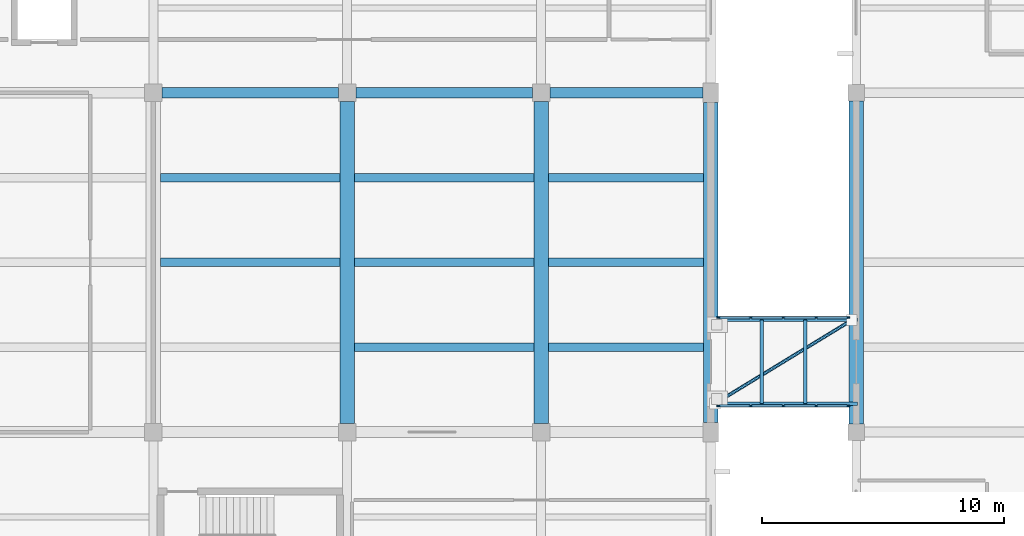
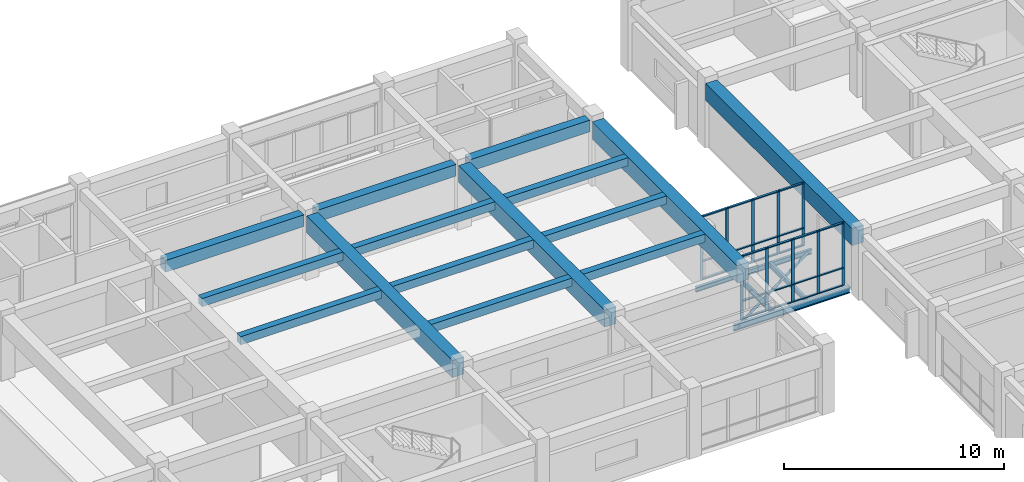
# One storey, part 27 of 66: 35 members, 19 beams, 2 elements without a shape of their own.
"""IFC4 building model written with IfcOpenShell, lengths in metres."""

from ifc_helpers import new_model, si_unit, direction, frame, origin, origin_2d, place, context, subcontext, project, spatial, rectangle, hollow_circle, i_section, extrude, material, layer, layer_set, material_profile, profile_set, type_object, element, aggregate, save


model = new_model("IFC4")

# Units and contexts
model_context = context("Model", 3, precision=1e-05, world=origin(), true_north=direction((0.0, 1.0)))
body_context = subcontext(model_context, "Body", "Model", "MODEL_VIEW")
ifc_project = project(units=[si_unit("LENGTHUNIT", "METRE"), si_unit("AREAUNIT", "SQUARE_METRE"), si_unit("VOLUMEUNIT", "CUBIC_METRE"), si_unit("PLANEANGLEUNIT", "RADIAN"), si_unit("MASSUNIT", "GRAM", prefix="KILO")], contexts=[model_context])

# Site, building, storey
site_placement = place(None, origin())
site = spatial("IfcSite", under=ifc_project, at=site_placement, CompositionType="ELEMENT")
building_placement = place(site_placement, origin())
building = spatial("IfcBuilding", under=site, at=building_placement, Name="Naurynzar Civic Courthouse", CompositionType="ELEMENT")
storey_placement = place(building_placement, frame((0.0, 0.0, 14.39990234375)))
storey = spatial("IfcBuildingStorey", under=building, at=storey_placement, Name="L04", CompositionType="ELEMENT", Elevation=14.39990234375)

# Beams
ifc_material_1 = material(Name="Concrete C40/50", Category="concrete")
ifc_material_profile_1 = material_profile(ifc_material_1, rectangle(XDim=0.60009765625, YDim=0.949951171875, at=origin_2d()), Name="PTB 600x950")
ifc_profile_set_1 = profile_set([ifc_material_profile_1], Name="Concrete C40/50")
beam_type_1 = type_object("IfcBeamType", Name="BM-PT-600x950", PredefinedType="T_BEAM", material=ifc_profile_set_1)
for number, where, z_axis, x_axis, name in (
    (1, (109.0, 51.362548828125, 3.10498046875), (0.0, 1.0, 0.0), (-1.0, 0.0, 0.0), "V2 girder Y-705 L04"),
    (2, (117.0, 51.362548828125, 3.10498046875), (0.0, 1.0, 0.0), (-1.0, 0.0, 0.0), "V2 girder Y-708 L04"),
):
    element("IfcBeam", number, at=place(storey_placement, frame(where, z_axis=z_axis, x_axis=x_axis)), inside=storey, type_object=beam_type_1, Name=name, PredefinedType="T_BEAM", context=body_context, shape_type="SweptSolid", body=[
        extrude(rectangle(XDim=0.60009765625, YDim=0.949951171875, at=origin_2d()), origin(), (0.0, 0.0, 1.0), 13.27490234375),
    ])
beam_1_placement = place(storey_placement, frame((124.0, 51.39990234375, 3.10498046875), z_axis=(0.0, 1.0, 0.0), x_axis=(-1.0, 0.0, 0.0)))
element("IfcBeam", 3, at=beam_1_placement, inside=storey, type_object=beam_type_1, Name="V2 girder Y-711 L04", PredefinedType="T_BEAM", context=body_context, shape_type="SweptSolid", body=[
    extrude(rectangle(XDim=0.60009765625, YDim=0.949951171875, at=origin_2d()), origin(), (0.0, 0.0, 1.0), 13.2001953125),
])
beam_2_placement = place(storey_placement, frame((130.0, 51.33740234375, 3.10498046875), z_axis=(0.0, 1.0, 0.0), x_axis=(-1.0, 0.0, 0.0)))
element("IfcBeam", 4, at=beam_2_placement, inside=storey, type_object=beam_type_1, Name="V5 girder Y-2556 L04", PredefinedType="T_BEAM", context=body_context, shape_type="SweptSolid", body=[
    extrude(rectangle(XDim=0.60009765625, YDim=0.949951171875, at=origin_2d()), origin(), (0.0, 0.0, 1.0), 13.3251953125),
])
ifc_material_2 = material(Name="Concrete C40/50", Category="concrete")
ifc_material_profile_2 = material_profile(ifc_material_2, rectangle(XDim=0.35009765625, YDim=0.449951171875, at=origin_2d()), Name="RCB 350x450")
ifc_profile_set_2 = profile_set([ifc_material_profile_2], Name="Concrete C40/50")
beam_type_2 = type_object("IfcBeamType", Name="BM-RC-350x450", PredefinedType="BEAM", material=ifc_profile_set_2)
for number, where, z_axis, x_axis, name in (
    (5, (101.300048828125, 58.0, 3.35498046875), (1.0, 0.0, 0.0), (0.0, 1.0, 0.0), "V2 secondary rib 727 L04"),
    (6, (101.300048828125, 61.5, 3.35498046875), (1.0, 0.0, 0.0), (0.0, 1.0, 0.0), "V2 secondary rib 728 L04"),
    (7, (109.300048828125, 54.5, 3.35498046875), (1.0, 0.0, 0.0), (0.0, 1.0, 0.0), "V2 secondary rib 729 L04"),
    (8, (109.300048828125, 58.0, 3.35498046875), (1.0, 0.0, 0.0), (0.0, 1.0, 0.0), "V2 secondary rib 730 L04"),
    (9, (109.300048828125, 61.5, 3.35498046875), (1.0, 0.0, 0.0), (0.0, 1.0, 0.0), "V2 secondary rib 731 L04"),
):
    element("IfcBeam", number, at=place(storey_placement, frame(where, z_axis=z_axis, x_axis=x_axis)), inside=storey, type_object=beam_type_2, Name=name, PredefinedType="BEAM", context=body_context, shape_type="SweptSolid", body=[
        extrude(rectangle(XDim=0.35009765625, YDim=0.449951171875, at=origin_2d()), origin(), (0.0, 0.0, 1.0), 7.39990234375),
    ])
for number, where, z_axis, x_axis, name in (
    (10, (117.300048828125, 54.5, 3.35498046875), (1.0, 0.0, 0.0), (0.0, 1.0, 0.0), "V2 secondary rib 732 L04"),
    (11, (117.300048828125, 58.0, 3.35498046875), (1.0, 0.0, 0.0), (0.0, 1.0, 0.0), "V2 secondary rib 733 L04"),
    (12, (117.300048828125, 61.5, 3.35498046875), (1.0, 0.0, 0.0), (0.0, 1.0, 0.0), "V2 secondary rib 734 L04"),
):
    element("IfcBeam", number, at=place(storey_placement, frame(where, z_axis=z_axis, x_axis=x_axis)), inside=storey, type_object=beam_type_2, Name=name, PredefinedType="BEAM", context=body_context, shape_type="SweptSolid", body=[
        extrude(rectangle(XDim=0.35009765625, YDim=0.449951171875, at=origin_2d()), origin(), (0.0, 0.0, 1.0), 6.39990234375),
    ])
ifc_material_3 = material(Name="Concrete C40/50", Category="concrete")
ifc_material_profile_3 = material_profile(ifc_material_3, rectangle(XDim=0.449951171875, YDim=0.64990234375, at=origin_2d()), Name="RCB 450x650")
ifc_profile_set_3 = profile_set([ifc_material_profile_3], Name="Concrete C40/50")
beam_type_3 = type_object("IfcBeamType", Name="BM-RC-450x650", PredefinedType="BEAM", material=ifc_profile_set_3)
for number, where, z_axis, x_axis, name in (
    (13, (101.362548828125, 65.0, 3.255126953125), (1.0, 0.0, 0.0), (0.0, 1.0, 0.0), "V2 beam X-676 L04"),
    (14, (109.362548828125, 65.0, 3.255126953125), (1.0, 0.0, 0.0), (0.0, 1.0, 0.0), "V2 beam X-677 L04"),
):
    element("IfcBeam", number, at=place(storey_placement, frame(where, z_axis=z_axis, x_axis=x_axis)), inside=storey, type_object=beam_type_3, Name=name, PredefinedType="BEAM", context=body_context, shape_type="SweptSolid", body=[
        extrude(rectangle(XDim=0.449951171875, YDim=0.64990234375, at=origin_2d()), origin(), (0.0, 0.0, 1.0), 7.27490234375),
    ])
beam_3_placement = place(storey_placement, frame((117.362548828125, 65.0, 3.255126953125), z_axis=(1.0, 0.0, 0.0), x_axis=(0.0, 1.0, 0.0)))
element("IfcBeam", 15, at=beam_3_placement, inside=storey, type_object=beam_type_3, Name="V2 beam X-678 L04", PredefinedType="BEAM", context=body_context, shape_type="SweptSolid", body=[
    extrude(rectangle(XDim=0.449951171875, YDim=0.64990234375, at=origin_2d()), origin(), (0.0, 0.0, 1.0), 6.3125),
])
ifc_material_4 = material(Name="Steel S355", Category="steel")
ifc_material_profile_4 = material_profile(ifc_material_4, i_section(OverallWidth=0.135009765625, OverallDepth=0.27001953125, WebThickness=0.006591796875, FlangeThickness=0.01025390625, FilletRadius=0.014892578125, at=origin_2d()), Name="IPE 270")
ifc_profile_set_4 = profile_set([ifc_material_profile_4], Name="Steel S355")
beam_type_4 = type_object("IfcBeamType", Name="BM-STL-IPE270", PredefinedType="BEAM", material=ifc_profile_set_4)
beam_4_placement = place(storey_placement, frame((123.949951171875, 55.6298828125, -0.375), z_axis=(1.0, 0.0, 0.0), x_axis=(0.0, 1.0, 0.0)))
element("IfcBeam", 16, at=beam_4_placement, inside=storey, type_object=beam_type_4, Name="BR-E1 edge steel beam L04.2", PredefinedType="BEAM", context=body_context, shape_type="SweptSolid", body=[
    extrude(i_section(OverallWidth=0.135009765625, OverallDepth=0.27001953125, WebThickness=0.006591796875, FlangeThickness=0.01025390625, FilletRadius=0.014892578125, at=origin_2d()), origin(), (0.0, 0.0, 1.0), 6.10009765625),
])
for number, where, z_axis, x_axis, name in (
    (17, (126.10595703125, 52.169921875, -0.375), (0.0, 1.0, 0.0), (-1.0, 0.0, 0.0), "BR-E1 deck cross-beam L04.1"),
    (18, (127.89404296875, 52.169921875, -0.375), (0.0, 1.0, 0.0), (-1.0, 0.0, 0.0), "BR-E1 deck cross-beam L04.2"),
):
    element("IfcBeam", number, at=place(storey_placement, frame(where, z_axis=z_axis, x_axis=x_axis)), inside=storey, type_object=beam_type_4, Name=name, PredefinedType="BEAM", context=body_context, shape_type="SweptSolid", body=[
        extrude(i_section(OverallWidth=0.135009765625, OverallDepth=0.27001953125, WebThickness=0.006591796875, FlangeThickness=0.01025390625, FilletRadius=0.014892578125, at=origin_2d()), origin(), (0.0, 0.0, 1.0), 3.4599609375),
    ])
ifc_material_5 = material(Name="Steel S355", Category="steel")
ifc_material_profile_5 = material_profile(ifc_material_5, i_section(OverallWidth=0.159912109375, OverallDepth=0.330078125, WebThickness=0.007568359375, FlangeThickness=0.011474609375, FilletRadius=0.01806640625, at=origin_2d()), Name="IPE 330")
ifc_profile_set_5 = profile_set([ifc_material_profile_5], Name="Steel S355")
beam_type_5 = type_object("IfcBeamType", Name="BM-STL-IPE330", PredefinedType="BEAM", material=ifc_profile_set_5)
beam_5_placement = place(storey_placement, frame((123.949951171875, 52.169921875, -0.40478515625), z_axis=(1.0, 0.0, 0.0), x_axis=(0.0, 1.0, 0.0)))
element("IfcBeam", 19, at=beam_5_placement, inside=storey, type_object=beam_type_5, Name="BR-E1 edge steel beam L04.1", PredefinedType="BEAM", context=body_context, shape_type="SweptSolid", body=[
    extrude(i_section(OverallWidth=0.159912109375, OverallDepth=0.330078125, WebThickness=0.007568359375, FlangeThickness=0.011474609375, FilletRadius=0.01806640625, at=origin_2d()), origin(), (0.0, 0.0, 1.0), 6.10009765625),
])

# Curtain wall, members
ifc_material_6 = material(Name="Aluminium 6063-T6", Category="aluminium")
ifc_layer = layer(ifc_material_6, 0.14990234375)
ifc_layer_set = layer_set([ifc_layer], Name="CW-BRIDGE-1500")
curtain_wall_type = type_object("IfcCurtainWallType", Name="CW-BRIDGE-1500", PredefinedType="USERDEFINED", material=ifc_layer_set)
curtain_wall_1_placement = place(storey_placement, origin())
curtain_wall_1 = element("IfcCurtainWall", 20, at=curtain_wall_1_placement, inside=storey, type_object=curtain_wall_type, Name="BR-E1 glazed bridge screen L04.1", ObjectType="GLAZED BRIDGE SCREEN", PredefinedType="USERDEFINED")
ifc_material_7 = material(Name="Aluminium 6063-T6", Category="aluminium")
ifc_material_profile_6 = material_profile(ifc_material_7, rectangle(XDim=0.06005859375, YDim=0.14990234375, at=origin_2d()), Name="ALU MULLION 60x150")
ifc_profile_set_6 = profile_set([ifc_material_profile_6], Name="Aluminium 6063-T6")
member_type_1 = type_object("IfcMemberType", Name="CWM-60x150", PredefinedType="MULLION", material=ifc_profile_set_6)
member_1_placement = place(storey_placement, frame((124.330078125, 52.080078125, 0.0), z_axis=(0.0, 0.0, 1.0), x_axis=(0.0, 1.0, 0.0)))
member_1 = element("IfcMember", 21, at=member_1_placement, type_object=member_type_1, Name="CW-03 mullion 1", PredefinedType="MULLION", context=body_context, shape_type="SweptSolid", body=[
    extrude(rectangle(XDim=0.06005859375, YDim=0.14990234375, at=origin_2d()), origin(), (0.0, 0.0, 1.0), 3.52001953125),
])
member_2_placement = place(storey_placement, frame((125.64990234375, 52.080078125, 0.0), z_axis=(0.0, 0.0, 1.0), x_axis=(0.0, 1.0, 0.0)))
member_2 = element("IfcMember", 22, at=member_2_placement, type_object=member_type_1, Name="CW-03 mullion 2", PredefinedType="MULLION", context=body_context, shape_type="SweptSolid", body=[
    extrude(rectangle(XDim=0.06005859375, YDim=0.14990234375, at=origin_2d()), origin(), (0.0, 0.0, 1.0), 3.52001953125),
])
member_3_placement = place(storey_placement, frame((127.0, 52.080078125, 0.0), z_axis=(0.0, 0.0, 1.0), x_axis=(0.0, 1.0, 0.0)))
member_3 = element("IfcMember", 23, at=member_3_placement, type_object=member_type_1, Name="CW-03 mullion 3", PredefinedType="MULLION", context=body_context, shape_type="SweptSolid", body=[
    extrude(rectangle(XDim=0.06005859375, YDim=0.14990234375, at=origin_2d()), origin(), (0.0, 0.0, 1.0), 3.52001953125),
])
member_4_placement = place(storey_placement, frame((128.35009765625, 52.080078125, 0.0), z_axis=(0.0, 0.0, 1.0), x_axis=(0.0, 1.0, 0.0)))
member_4 = element("IfcMember", 24, at=member_4_placement, type_object=member_type_1, Name="CW-03 mullion 4", PredefinedType="MULLION", context=body_context, shape_type="SweptSolid", body=[
    extrude(rectangle(XDim=0.06005859375, YDim=0.14990234375, at=origin_2d()), origin(), (0.0, 0.0, 1.0), 3.52001953125),
])
member_5_placement = place(storey_placement, frame((129.669921875, 52.080078125, 0.0), z_axis=(0.0, 0.0, 1.0), x_axis=(0.0, 1.0, 0.0)))
member_5 = element("IfcMember", 25, at=member_5_placement, type_object=member_type_1, Name="CW-03 mullion 5", PredefinedType="MULLION", context=body_context, shape_type="SweptSolid", body=[
    extrude(rectangle(XDim=0.06005859375, YDim=0.14990234375, at=origin_2d()), origin(), (0.0, 0.0, 1.0), 3.52001953125),
])

curtain_wall_2_placement = place(storey_placement, origin())
curtain_wall_2 = element("IfcCurtainWall", 26, at=curtain_wall_2_placement, inside=storey, type_object=curtain_wall_type, Name="BR-E1 glazed bridge screen L04.2", ObjectType="GLAZED BRIDGE SCREEN", PredefinedType="USERDEFINED")
member_6_placement = place(storey_placement, frame((129.669921875, 55.719970703125, 0.0), z_axis=(0.0, 0.0, 1.0), x_axis=(0.0, -1.0, 0.0)))
member_6 = element("IfcMember", 27, at=member_6_placement, type_object=member_type_1, Name="CW-03 mullion 1", PredefinedType="MULLION", context=body_context, shape_type="SweptSolid", body=[
    extrude(rectangle(XDim=0.06005859375, YDim=0.14990234375, at=origin_2d()), origin(), (0.0, 0.0, 1.0), 3.52001953125),
])
member_7_placement = place(storey_placement, frame((128.35009765625, 55.719970703125, 0.0), z_axis=(0.0, 0.0, 1.0), x_axis=(0.0, -1.0, 0.0)))
member_7 = element("IfcMember", 28, at=member_7_placement, type_object=member_type_1, Name="CW-03 mullion 2", PredefinedType="MULLION", context=body_context, shape_type="SweptSolid", body=[
    extrude(rectangle(XDim=0.06005859375, YDim=0.14990234375, at=origin_2d()), origin(), (0.0, 0.0, 1.0), 3.52001953125),
])
member_8_placement = place(storey_placement, frame((127.0, 55.719970703125, 0.0), z_axis=(0.0, 0.0, 1.0), x_axis=(0.0, -1.0, 0.0)))
member_8 = element("IfcMember", 29, at=member_8_placement, type_object=member_type_1, Name="CW-03 mullion 3", PredefinedType="MULLION", context=body_context, shape_type="SweptSolid", body=[
    extrude(rectangle(XDim=0.06005859375, YDim=0.14990234375, at=origin_2d()), origin(), (0.0, 0.0, 1.0), 3.52001953125),
])
member_9_placement = place(storey_placement, frame((125.64990234375, 55.719970703125, 0.0), z_axis=(0.0, 0.0, 1.0), x_axis=(0.0, -1.0, 0.0)))
member_9 = element("IfcMember", 30, at=member_9_placement, type_object=member_type_1, Name="CW-03 mullion 4", PredefinedType="MULLION", context=body_context, shape_type="SweptSolid", body=[
    extrude(rectangle(XDim=0.06005859375, YDim=0.14990234375, at=origin_2d()), origin(), (0.0, 0.0, 1.0), 3.52001953125),
])
member_10_placement = place(storey_placement, frame((124.330078125, 55.719970703125, 0.0), z_axis=(0.0, 0.0, 1.0), x_axis=(0.0, -1.0, 0.0)))
member_10 = element("IfcMember", 31, at=member_10_placement, type_object=member_type_1, Name="CW-03 mullion 5", PredefinedType="MULLION", context=body_context, shape_type="SweptSolid", body=[
    extrude(rectangle(XDim=0.06005859375, YDim=0.14990234375, at=origin_2d()), origin(), (0.0, 0.0, 1.0), 3.52001953125),
])

# Member
ifc_material_8 = material(Name="Aluminium 6063-T6", Category="aluminium")
ifc_material_profile_7 = material_profile(ifc_material_8, rectangle(XDim=0.110107421875, YDim=0.06005859375, at=origin_2d()), Name="ALU TRANSOM 60x110")
ifc_profile_set_7 = profile_set([ifc_material_profile_7], Name="Aluminium 6063-T6")
member_type_2 = type_object("IfcMemberType", Name="CWT-60x110", PredefinedType="USERDEFINED", material=ifc_profile_set_7)
member_11_placement = place(storey_placement, frame((124.360107421875, 52.080078125, 0.030029296875), z_axis=(1.0, 0.0, 0.0), x_axis=(0.0, 1.0, 0.0)))
member_11 = element("IfcMember", 32, at=member_11_placement, type_object=member_type_2, Name="CW-03 transom 1.1", ObjectType="TRANSOM", PredefinedType="USERDEFINED", context=body_context, shape_type="SweptSolid", body=[
    extrude(rectangle(XDim=0.110107421875, YDim=0.06005859375, at=origin_2d()), origin(), (0.0, 0.0, 1.0), 1.260009765625),
])

member_12_placement = place(storey_placement, frame((124.360107421875, 52.080078125, 1.0), z_axis=(1.0, 0.0, 0.0), x_axis=(0.0, 1.0, 0.0)))
member_12 = element("IfcMember", 33, at=member_12_placement, type_object=member_type_2, Name="CW-03 transom 1.2", ObjectType="TRANSOM", PredefinedType="USERDEFINED", context=body_context, shape_type="SweptSolid", body=[
    extrude(rectangle(XDim=0.110107421875, YDim=0.06005859375, at=origin_2d()), origin(), (0.0, 0.0, 1.0), 1.260009765625),
])

member_13_placement = place(storey_placement, frame((124.360107421875, 52.080078125, 3.489990234375), z_axis=(1.0, 0.0, 0.0), x_axis=(0.0, 1.0, 0.0)))
member_13 = element("IfcMember", 34, at=member_13_placement, type_object=member_type_2, Name="CW-03 transom 1.3", ObjectType="TRANSOM", PredefinedType="USERDEFINED", context=body_context, shape_type="SweptSolid", body=[
    extrude(rectangle(XDim=0.110107421875, YDim=0.06005859375, at=origin_2d()), origin(), (0.0, 0.0, 1.0), 1.260009765625),
])

member_14_placement = place(storey_placement, frame((125.679931640625, 52.080078125, 0.030029296875), z_axis=(1.0, 0.0, 0.0), x_axis=(0.0, 1.0, 0.0)))
member_14 = element("IfcMember", 35, at=member_14_placement, type_object=member_type_2, Name="CW-03 transom 2.1", ObjectType="TRANSOM", PredefinedType="USERDEFINED", context=body_context, shape_type="SweptSolid", body=[
    extrude(rectangle(XDim=0.110107421875, YDim=0.06005859375, at=origin_2d()), origin(), (0.0, 0.0, 1.0), 1.2900390625),
])

member_15_placement = place(storey_placement, frame((125.679931640625, 52.080078125, 1.0), z_axis=(1.0, 0.0, 0.0), x_axis=(0.0, 1.0, 0.0)))
member_15 = element("IfcMember", 36, at=member_15_placement, type_object=member_type_2, Name="CW-03 transom 2.2", ObjectType="TRANSOM", PredefinedType="USERDEFINED", context=body_context, shape_type="SweptSolid", body=[
    extrude(rectangle(XDim=0.110107421875, YDim=0.06005859375, at=origin_2d()), origin(), (0.0, 0.0, 1.0), 1.2900390625),
])

member_16_placement = place(storey_placement, frame((125.679931640625, 52.080078125, 3.489990234375), z_axis=(1.0, 0.0, 0.0), x_axis=(0.0, 1.0, 0.0)))
member_16 = element("IfcMember", 37, at=member_16_placement, type_object=member_type_2, Name="CW-03 transom 2.3", ObjectType="TRANSOM", PredefinedType="USERDEFINED", context=body_context, shape_type="SweptSolid", body=[
    extrude(rectangle(XDim=0.110107421875, YDim=0.06005859375, at=origin_2d()), origin(), (0.0, 0.0, 1.0), 1.2900390625),
])

member_17_placement = place(storey_placement, frame((127.030029296875, 52.080078125, 0.030029296875), z_axis=(1.0, 0.0, 0.0), x_axis=(0.0, 1.0, 0.0)))
member_17 = element("IfcMember", 38, at=member_17_placement, type_object=member_type_2, Name="CW-03 transom 3.1", ObjectType="TRANSOM", PredefinedType="USERDEFINED", context=body_context, shape_type="SweptSolid", body=[
    extrude(rectangle(XDim=0.110107421875, YDim=0.06005859375, at=origin_2d()), origin(), (0.0, 0.0, 1.0), 1.2900390625),
])

member_18_placement = place(storey_placement, frame((127.030029296875, 52.080078125, 1.0), z_axis=(1.0, 0.0, 0.0), x_axis=(0.0, 1.0, 0.0)))
member_18 = element("IfcMember", 39, at=member_18_placement, type_object=member_type_2, Name="CW-03 transom 3.2", ObjectType="TRANSOM", PredefinedType="USERDEFINED", context=body_context, shape_type="SweptSolid", body=[
    extrude(rectangle(XDim=0.110107421875, YDim=0.06005859375, at=origin_2d()), origin(), (0.0, 0.0, 1.0), 1.2900390625),
])

member_19_placement = place(storey_placement, frame((127.030029296875, 52.080078125, 3.489990234375), z_axis=(1.0, 0.0, 0.0), x_axis=(0.0, 1.0, 0.0)))
member_19 = element("IfcMember", 40, at=member_19_placement, type_object=member_type_2, Name="CW-03 transom 3.3", ObjectType="TRANSOM", PredefinedType="USERDEFINED", context=body_context, shape_type="SweptSolid", body=[
    extrude(rectangle(XDim=0.110107421875, YDim=0.06005859375, at=origin_2d()), origin(), (0.0, 0.0, 1.0), 1.2900390625),
])

member_20_placement = place(storey_placement, frame((128.3798828125, 52.080078125, 0.030029296875), z_axis=(1.0, 0.0, 0.0), x_axis=(0.0, 1.0, 0.0)))
member_20 = element("IfcMember", 41, at=member_20_placement, type_object=member_type_2, Name="CW-03 transom 4.1", ObjectType="TRANSOM", PredefinedType="USERDEFINED", context=body_context, shape_type="SweptSolid", body=[
    extrude(rectangle(XDim=0.110107421875, YDim=0.06005859375, at=origin_2d()), origin(), (0.0, 0.0, 1.0), 1.260009765625),
])

member_21_placement = place(storey_placement, frame((128.3798828125, 52.080078125, 1.0), z_axis=(1.0, 0.0, 0.0), x_axis=(0.0, 1.0, 0.0)))
member_21 = element("IfcMember", 42, at=member_21_placement, type_object=member_type_2, Name="CW-03 transom 4.2", ObjectType="TRANSOM", PredefinedType="USERDEFINED", context=body_context, shape_type="SweptSolid", body=[
    extrude(rectangle(XDim=0.110107421875, YDim=0.06005859375, at=origin_2d()), origin(), (0.0, 0.0, 1.0), 1.260009765625),
])

member_22_placement = place(storey_placement, frame((128.3798828125, 52.080078125, 3.489990234375), z_axis=(1.0, 0.0, 0.0), x_axis=(0.0, 1.0, 0.0)))
member_22 = element("IfcMember", 43, at=member_22_placement, type_object=member_type_2, Name="CW-03 transom 4.3", ObjectType="TRANSOM", PredefinedType="USERDEFINED", context=body_context, shape_type="SweptSolid", body=[
    extrude(rectangle(XDim=0.110107421875, YDim=0.06005859375, at=origin_2d()), origin(), (0.0, 0.0, 1.0), 1.260009765625),
])

aggregate(curtain_wall_1, [member_1, member_2, member_3, member_4, member_5, member_11, member_12, member_13, member_14, member_15, member_16, member_17, member_18, member_19, member_20, member_21, member_22])

member_23_placement = place(storey_placement, frame((129.639892578125, 55.719970703125, 0.030029296875), z_axis=(-1.0, 0.0, 0.0), x_axis=(0.0, -1.0, 0.0)))
member_23 = element("IfcMember", 44, at=member_23_placement, type_object=member_type_2, Name="CW-03 transom 1.1", ObjectType="TRANSOM", PredefinedType="USERDEFINED", context=body_context, shape_type="SweptSolid", body=[
    extrude(rectangle(XDim=0.110107421875, YDim=0.06005859375, at=origin_2d()), origin(), (0.0, 0.0, 1.0), 1.260009765625),
])

member_24_placement = place(storey_placement, frame((129.639892578125, 55.719970703125, 1.0), z_axis=(-1.0, 0.0, 0.0), x_axis=(0.0, -1.0, 0.0)))
member_24 = element("IfcMember", 45, at=member_24_placement, type_object=member_type_2, Name="CW-03 transom 1.2", ObjectType="TRANSOM", PredefinedType="USERDEFINED", context=body_context, shape_type="SweptSolid", body=[
    extrude(rectangle(XDim=0.110107421875, YDim=0.06005859375, at=origin_2d()), origin(), (0.0, 0.0, 1.0), 1.260009765625),
])

member_25_placement = place(storey_placement, frame((129.639892578125, 55.719970703125, 3.489990234375), z_axis=(-1.0, 0.0, 0.0), x_axis=(0.0, -1.0, 0.0)))
member_25 = element("IfcMember", 46, at=member_25_placement, type_object=member_type_2, Name="CW-03 transom 1.3", ObjectType="TRANSOM", PredefinedType="USERDEFINED", context=body_context, shape_type="SweptSolid", body=[
    extrude(rectangle(XDim=0.110107421875, YDim=0.06005859375, at=origin_2d()), origin(), (0.0, 0.0, 1.0), 1.260009765625),
])

member_26_placement = place(storey_placement, frame((128.320068359375, 55.719970703125, 0.030029296875), z_axis=(-1.0, 0.0, 0.0), x_axis=(0.0, -1.0, 0.0)))
member_26 = element("IfcMember", 47, at=member_26_placement, type_object=member_type_2, Name="CW-03 transom 2.1", ObjectType="TRANSOM", PredefinedType="USERDEFINED", context=body_context, shape_type="SweptSolid", body=[
    extrude(rectangle(XDim=0.110107421875, YDim=0.06005859375, at=origin_2d()), origin(), (0.0, 0.0, 1.0), 1.2900390625),
])

member_27_placement = place(storey_placement, frame((128.320068359375, 55.719970703125, 1.0), z_axis=(-1.0, 0.0, 0.0), x_axis=(0.0, -1.0, 0.0)))
member_27 = element("IfcMember", 48, at=member_27_placement, type_object=member_type_2, Name="CW-03 transom 2.2", ObjectType="TRANSOM", PredefinedType="USERDEFINED", context=body_context, shape_type="SweptSolid", body=[
    extrude(rectangle(XDim=0.110107421875, YDim=0.06005859375, at=origin_2d()), origin(), (0.0, 0.0, 1.0), 1.2900390625),
])

member_28_placement = place(storey_placement, frame((128.320068359375, 55.719970703125, 3.489990234375), z_axis=(-1.0, 0.0, 0.0), x_axis=(0.0, -1.0, 0.0)))
member_28 = element("IfcMember", 49, at=member_28_placement, type_object=member_type_2, Name="CW-03 transom 2.3", ObjectType="TRANSOM", PredefinedType="USERDEFINED", context=body_context, shape_type="SweptSolid", body=[
    extrude(rectangle(XDim=0.110107421875, YDim=0.06005859375, at=origin_2d()), origin(), (0.0, 0.0, 1.0), 1.2900390625),
])

member_29_placement = place(storey_placement, frame((126.969970703125, 55.719970703125, 0.030029296875), z_axis=(-1.0, 0.0, 0.0), x_axis=(0.0, -1.0, 0.0)))
member_29 = element("IfcMember", 50, at=member_29_placement, type_object=member_type_2, Name="CW-03 transom 3.1", ObjectType="TRANSOM", PredefinedType="USERDEFINED", context=body_context, shape_type="SweptSolid", body=[
    extrude(rectangle(XDim=0.110107421875, YDim=0.06005859375, at=origin_2d()), origin(), (0.0, 0.0, 1.0), 1.2900390625),
])

member_30_placement = place(storey_placement, frame((126.969970703125, 55.719970703125, 1.0), z_axis=(-1.0, 0.0, 0.0), x_axis=(0.0, -1.0, 0.0)))
member_30 = element("IfcMember", 51, at=member_30_placement, type_object=member_type_2, Name="CW-03 transom 3.2", ObjectType="TRANSOM", PredefinedType="USERDEFINED", context=body_context, shape_type="SweptSolid", body=[
    extrude(rectangle(XDim=0.110107421875, YDim=0.06005859375, at=origin_2d()), origin(), (0.0, 0.0, 1.0), 1.2900390625),
])

member_31_placement = place(storey_placement, frame((126.969970703125, 55.719970703125, 3.489990234375), z_axis=(-1.0, 0.0, 0.0), x_axis=(0.0, -1.0, 0.0)))
member_31 = element("IfcMember", 52, at=member_31_placement, type_object=member_type_2, Name="CW-03 transom 3.3", ObjectType="TRANSOM", PredefinedType="USERDEFINED", context=body_context, shape_type="SweptSolid", body=[
    extrude(rectangle(XDim=0.110107421875, YDim=0.06005859375, at=origin_2d()), origin(), (0.0, 0.0, 1.0), 1.2900390625),
])

member_32_placement = place(storey_placement, frame((125.6201171875, 55.719970703125, 0.030029296875), z_axis=(-1.0, 0.0, 0.0), x_axis=(0.0, -1.0, 0.0)))
member_32 = element("IfcMember", 53, at=member_32_placement, type_object=member_type_2, Name="CW-03 transom 4.1", ObjectType="TRANSOM", PredefinedType="USERDEFINED", context=body_context, shape_type="SweptSolid", body=[
    extrude(rectangle(XDim=0.110107421875, YDim=0.06005859375, at=origin_2d()), origin(), (0.0, 0.0, 1.0), 1.260009765625),
])

member_33_placement = place(storey_placement, frame((125.6201171875, 55.719970703125, 1.0), z_axis=(-1.0, 0.0, 0.0), x_axis=(0.0, -1.0, 0.0)))
member_33 = element("IfcMember", 54, at=member_33_placement, type_object=member_type_2, Name="CW-03 transom 4.2", ObjectType="TRANSOM", PredefinedType="USERDEFINED", context=body_context, shape_type="SweptSolid", body=[
    extrude(rectangle(XDim=0.110107421875, YDim=0.06005859375, at=origin_2d()), origin(), (0.0, 0.0, 1.0), 1.260009765625),
])

member_34_placement = place(storey_placement, frame((125.6201171875, 55.719970703125, 3.489990234375), z_axis=(-1.0, 0.0, 0.0), x_axis=(0.0, -1.0, 0.0)))
member_34 = element("IfcMember", 55, at=member_34_placement, type_object=member_type_2, Name="CW-03 transom 4.3", ObjectType="TRANSOM", PredefinedType="USERDEFINED", context=body_context, shape_type="SweptSolid", body=[
    extrude(rectangle(XDim=0.110107421875, YDim=0.06005859375, at=origin_2d()), origin(), (0.0, 0.0, 1.0), 1.260009765625),
])

aggregate(curtain_wall_2, [member_6, member_7, member_8, member_9, member_10, member_23, member_24, member_25, member_26, member_27, member_28, member_29, member_30, member_31, member_32, member_33, member_34])

ifc_material_9 = material(Name="Steel S355", Category="steel")
ifc_material_profile_8 = material_profile(ifc_material_9, hollow_circle(Radius=0.06982421875, WallThickness=0.008056640625, at=origin_2d()), Name="CHS 139.7x8")
ifc_profile_set_8 = profile_set([ifc_material_profile_8], Name="Steel S355")
member_type_3 = type_object("IfcMemberType", Name="MEM-BRACE-CHS139", PredefinedType="BRACE", material=ifc_profile_set_8)
member_35_placement = place(storey_placement, frame((124.179931640625, 52.179931640625, -0.40478515625), z_axis=(0.853723652651, 0.520726343585, 0.0), x_axis=(-0.520726343585, 0.853723652651, 0.0)))
element("IfcMember", 56, at=member_35_placement, inside=storey, type_object=member_type_3, Name="BR-E1 wind brace L04.1", PredefinedType="BRACE", context=body_context, shape_type="SweptSolid", body=[
    extrude(hollow_circle(Radius=0.06982421875, WallThickness=0.008056640625, at=origin_2d()), origin(), (0.0, 0.0, 1.0), 6.6064453125),
])

save(model, "model.ifc")
